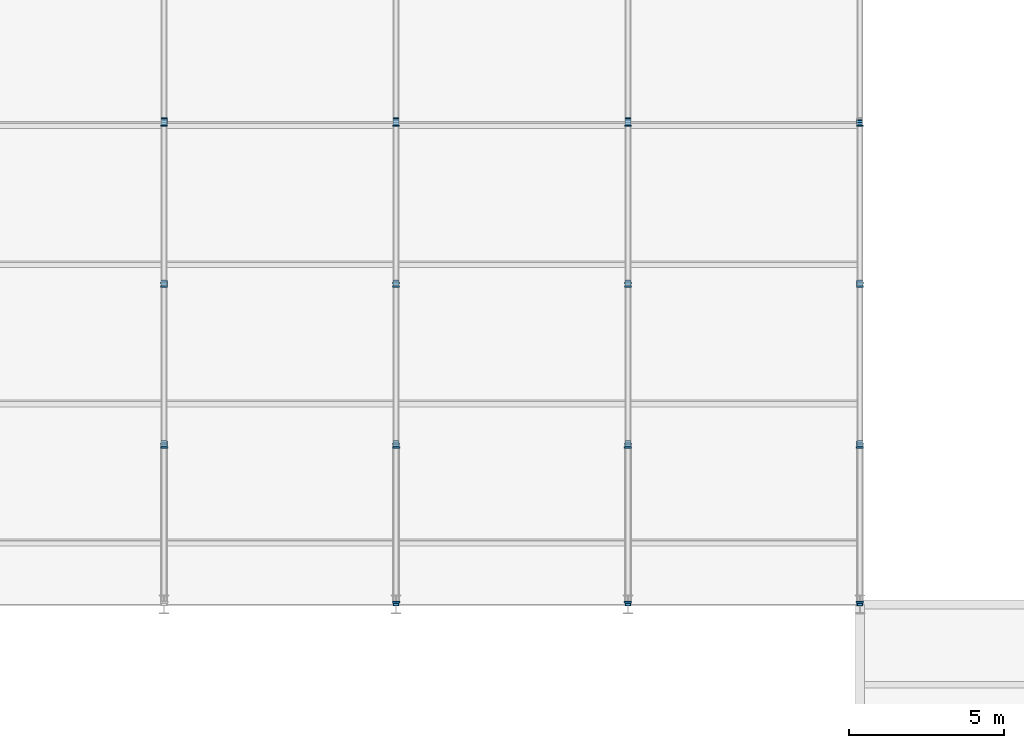
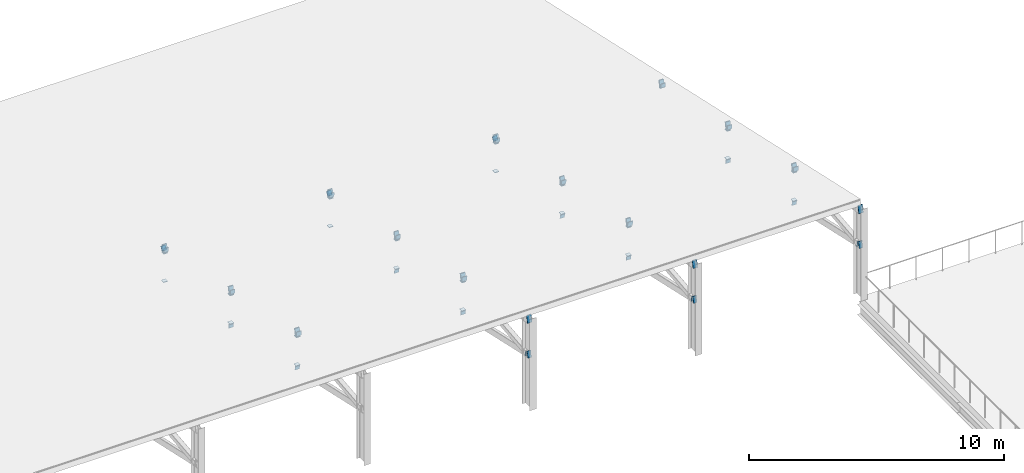
# One storey, part 57 of 77: 78 plates.
"""IFC4 building model written with IfcOpenShell, lengths in metres."""

import ifcopenshell
import ifcopenshell.guid

model = None  # the IFC model being written
_history = None  # IfcOwnerHistory: only IFC2X3 demands one
_inside = {}  # id of a spatial element -> (the spatial element, [elements in it])
_under = {}  # id of a project, library or spatial element -> (it, [spatial elements below it])
_declared = {}  # id of a project -> (the project, [libraries it declares])
_typed = {}  # id of a type object -> (the type object, [elements of that type])
_made_of = {}  # id of a material, layer set ... -> (it, [elements and type objects made of it])


def new_model(schema):
    """Start an empty IFC model of exactly this schema.

    Asked for "IFC4X3", IfcOpenShell would pick the latest addendum, in which some entities
    have other attributes; the version numbers below select the first issue.
    IFC2X3 requires an IfcOwnerHistory on every rooted entity: one is made here for all.
    """
    global model, _history
    if schema == "IFC4X3":
        model = ifcopenshell.file(schema_version=(4, 3, 0, 0))
    else:
        model = ifcopenshell.file(schema=schema)
    _inside.clear()
    _under.clear()
    _declared.clear()
    _typed.clear()
    _made_of.clear()
    _history = None
    if model.schema == "IFC2X3":
        org = make("IfcOrganization", Name="unknown")
        user = make(
            "IfcPersonAndOrganization",
            ThePerson=make("IfcPerson", FamilyName="unknown"),
            TheOrganization=org,
        )
        app = make(
            "IfcApplication",
            ApplicationDeveloper=org,
            Version="unknown",
            ApplicationFullName="unknown",
            ApplicationIdentifier="unknown",
        )
        _history = make(
            "IfcOwnerHistory",
            OwningUser=user,
            OwningApplication=app,
            ChangeAction="ADDED",
            CreationDate=0,
        )
    return model


def make(cls, **values):
    """One entity of the class cls with the attributes given. An attribute that is None is left unset."""
    return model.create_entity(
        cls, **{name: value for name, value in values.items() if value is not None}
    )


def rooted(cls, **values):
    """An entity with a GlobalId (a new one), such as an element, a storey or a relation."""
    return make(cls, GlobalId=ifcopenshell.guid.new(), OwnerHistory=_history, **values)


def si_unit(unit_type, name, prefix=None):
    """IfcSIUnit, for example si_unit("LENGTHUNIT", "METRE", prefix="MILLI")."""
    return make("IfcSIUnit", UnitType=unit_type, Prefix=prefix, Name=name)


def assignment(units):
    """IfcUnitAssignment: the units of a project."""
    return None if units is None else make("IfcUnitAssignment", Units=units)


def point(xyz):
    """IfcCartesianPoint."""
    return None if xyz is None else make("IfcCartesianPoint", Coordinates=xyz)


def direction(xyz):
    """IfcDirection."""
    return None if xyz is None else make("IfcDirection", DirectionRatios=xyz)


def frame(location, z_axis=None, x_axis=None):
    """IfcAxis2Placement3D, a coordinate frame: its origin and axes. An axis left out is left unset."""
    return make(
        "IfcAxis2Placement3D",
        Location=point(location),
        Axis=direction(z_axis),
        RefDirection=direction(x_axis),
    )


def frame_2d(location, x_axis=None):
    """IfcAxis2Placement2D, a coordinate frame in the plane: its origin and x axis."""
    return make(
        "IfcAxis2Placement2D", Location=point(location), RefDirection=direction(x_axis)
    )


def origin():
    """The frame at (0, 0, 0) with its axes left unset."""
    return frame((0.0, 0.0, 0.0))


def origin_2d():
    """The frame at (0, 0) in the plane with its x axis left unset."""
    return frame_2d((0.0, 0.0))


def place(relative_to, where):
    """IfcLocalPlacement: puts the frame where relative to a parent placement (None: the world)."""
    return make(
        "IfcLocalPlacement", PlacementRelTo=relative_to, RelativePlacement=where
    )


def context(
    kind, dimensions, precision=None, world=None, true_north=None, identifier=None
):
    """IfcGeometricRepresentationContext, for example the 3D "Model" context."""
    return make(
        "IfcGeometricRepresentationContext",
        ContextIdentifier=identifier,
        ContextType=kind,
        CoordinateSpaceDimension=dimensions,
        Precision=precision,
        WorldCoordinateSystem=world,
        TrueNorth=true_north,
    )


def subcontext(parent, identifier, kind, view, scale=None):
    """IfcGeometricRepresentationSubContext, for example "Body" below "Model"."""
    return make(
        "IfcGeometricRepresentationSubContext",
        ContextIdentifier=identifier,
        ContextType=kind,
        ParentContext=parent,
        TargetScale=scale,
        TargetView=view,
    )


def project(units=None, contexts=None):
    """IfcProject with its units and contexts."""
    return rooted(
        "IfcProject",
        Name="project",
        RepresentationContexts=contexts,
        UnitsInContext=assignment(units),
    )


def spatial(cls, under=None, at=None, **own):
    """A site, building, storey or space (cls), placed at a placement, below another one or the project."""
    s = rooted(cls, ObjectPlacement=at, **own)
    if under is not None:
        _under.setdefault(under.id(), (under, []))[1].append(s)
    return s


def profile(cls, at=None, kind="AREA", **sizes):
    """A parametric profile (cls). Its sizes go by their IFC names, for example OverallWidth=200.0."""
    return make(cls, ProfileType=kind, Position=at, **sizes)


def rectangle(**sizes):
    """IfcRectangleProfileDef."""
    return profile("IfcRectangleProfileDef", **sizes)


def extrude(swept, where, along, depth):
    """IfcExtrudedAreaSolid: the profile swept, set in the frame where, extruded along a direction by depth."""
    return make(
        "IfcExtrudedAreaSolid",
        SweptArea=swept,
        Position=where,
        ExtrudedDirection=direction(along),
        Depth=depth,
    )


def shape(context_of_items, identifier, shape_type, items):
    """IfcShapeRepresentation: the items that make up one representation, for example the "Body"."""
    return make(
        "IfcShapeRepresentation",
        ContextOfItems=context_of_items,
        RepresentationIdentifier=identifier,
        RepresentationType=shape_type,
        Items=items,
    )


def material(Name=None, Category=None):
    """IfcMaterial."""
    return make("IfcMaterial", Name=Name, Category=Category)


def layer(
    of_material, thickness, ventilated=None, Name=None, Category=None, Priority=None
):
    """IfcMaterialLayer: one layer of a wall or slab, of a material (None: an air gap)."""
    return make(
        "IfcMaterialLayer",
        Material=of_material,
        LayerThickness=thickness,
        IsVentilated=ventilated,
        Name=Name,
        Category=Category,
        Priority=Priority,
    )


def layer_set(layers, Name=None):
    """IfcMaterialLayerSet."""
    return make("IfcMaterialLayerSet", MaterialLayers=layers, LayerSetName=Name)


def made_of(thing, what):
    """Note that an element or type object is made of a material, layer set ...; save() writes the relation."""
    if what is not None:
        _made_of.setdefault(what.id(), (what, []))[1].append(thing)
    return thing


def type_object(cls, material=None, **own):
    """A type object (cls), such as IfcWallType, which elements share."""
    return made_of(rooted(cls, **own), material)


def element(
    cls,
    number,
    at=None,
    inside=None,
    cuts=None,
    type_object=None,
    material=None,
    context=None,
    identifier="Body",
    shape_type=None,
    held_by="IfcProductDefinitionShape",
    body=None,
    shapes=None,
    **own,
):
    """One element of the class cls, such as IfcWall. Its Tag is "e" and its number.

    at: its placement. inside: the storey or other place that contains it. cuts: it is an
    opening in that element (IfcRelVoidsElement). A single representation is given by context,
    identifier, shape_type and body (its items); several are given by shapes. held_by: the class
    of the entity that holds the representations. save() writes the other relations.
    """
    e = rooted(cls, Tag="e%d" % number, ObjectPlacement=at, **own)
    if body is not None:
        shapes = [shape(context, identifier, shape_type, body)]
    if shapes is not None:
        e.Representation = make(held_by, Representations=shapes)
    if inside is not None:
        _inside.setdefault(inside.id(), (inside, []))[1].append(e)
    if cuts is not None:
        rooted(
            "IfcRelVoidsElement", RelatingBuildingElement=cuts, RelatedOpeningElement=e
        )
    if type_object is not None:
        _typed.setdefault(type_object.id(), (type_object, []))[1].append(e)
    return made_of(e, material)


def aggregate(whole, parts):
    """IfcRelAggregates: a whole, such as a stair, and the parts it consists of."""
    return rooted("IfcRelAggregates", RelatingObject=whole, RelatedObjects=parts)


def save(model, path):
    """Write the relations noted so far, then the file.

    IfcRelAggregates (storeys below a building ...), IfcRelContainedInSpatialStructure (elements
    in a storey), IfcRelDefinesByType, IfcRelAssociatesMaterial and IfcRelDeclares: one each for
    every whole, place, type object, material and project.
    """
    for whole, parts in _under.values():
        aggregate(whole, parts)
    for where, things in _inside.values():
        rooted(
            "IfcRelContainedInSpatialStructure",
            RelatedElements=things,
            RelatingStructure=where,
        )
    for kind, things in _typed.values():
        rooted("IfcRelDefinesByType", RelatedObjects=things, RelatingType=kind)
    for what, things in _made_of.values():
        rooted("IfcRelAssociatesMaterial", RelatedObjects=things, RelatingMaterial=what)
    for by, libraries in _declared.values():
        rooted("IfcRelDeclares", RelatingContext=by, RelatedDefinitions=libraries)
    model.write(path)


model = new_model("IFC4")

# Units and contexts
model_context = context("Model", 3, precision=1e-05, world=origin(), true_north=direction((0.0, 1.0)))
body_context = subcontext(model_context, "Body", "Model", "MODEL_VIEW")
ifc_project = project(units=[si_unit("LENGTHUNIT", "METRE"), si_unit("AREAUNIT", "SQUARE_METRE"), si_unit("VOLUMEUNIT", "CUBIC_METRE"), si_unit("PLANEANGLEUNIT", "RADIAN"), si_unit("MASSUNIT", "GRAM", prefix="KILO")], contexts=[model_context])

# Site, building, storey
site_placement = place(None, origin())
site = spatial("IfcSite", under=ifc_project, at=site_placement, CompositionType="ELEMENT")
building_placement = place(site_placement, origin())
building = spatial("IfcBuilding", under=site, at=building_placement, Name="Yukiwa Park Conservatory and Herbarium", CompositionType="ELEMENT")
storey_placement = place(building_placement, frame((0.0, 0.0, 13.199951171875)))
storey = spatial("IfcBuildingStorey", under=building, at=storey_placement, Name="L03", CompositionType="ELEMENT", Elevation=13.199951171875)

# Plates
ifc_material_1 = material(Name="Steel Q355D", Category="steel")
ifc_layer_1 = layer(ifc_material_1, 0.02392578125)
ifc_layer_set_1 = layer_set([ifc_layer_1], Name="Steel Q355D")
plate_type_1 = type_object("IfcPlateType", Name="PL-CAP-24", PredefinedType="USERDEFINED", material=ifc_layer_set_1)
for number, where, z_axis, x_axis, name in (
    (1, (60.0, 78.013916015625, 4.190185546875), (0.0, -0.976900017396, 0.213696878805), (1.0, 0.0, 0.0), "Hollow section end cap plate CAP-AUTC-7-1A"),
    (2, (60.0, 83.160888671875, 3.0478515625), (0.0, 0.976900017396, -0.213696878805), (-1.0, 0.0, 0.0), "Hollow section end cap plate CAP-AUTC-7-1B"),
):
    element("IfcPlate", number, at=place(storey_placement, frame(where, z_axis=z_axis, x_axis=x_axis)), inside=storey, type_object=plate_type_1, Name=name, ObjectType="END CAP PLATE", PredefinedType="USERDEFINED", context=body_context, shape_type="SweptSolid", body=[
        extrude(rectangle(XDim=0.2080078125, YDim=0.35791015625, at=origin_2d()), origin(), (0.0, 0.0, 1.0), 0.02392578125),
    ])
plate_1_placement = place(storey_placement, frame((60.0, 78.013916015625, 2.490234375), z_axis=(0.0, -0.976900017396, 0.213696878805), x_axis=(1.0, 0.0, 0.0)))
element("IfcPlate", 3, at=plate_1_placement, inside=storey, type_object=plate_type_1, Name="Hollow section end cap plate CAP-AUBC-7-1A", ObjectType="END CAP PLATE", PredefinedType="USERDEFINED", context=body_context, shape_type="SweptSolid", body=[
    extrude(rectangle(XDim=0.157958984375, YDim=0.30810546875, at=origin_2d()), origin(), (0.0, 0.0, 1.0), 0.02392578125),
])
for number, where, z_axis, x_axis, name in (
    (4, (60.0, 78.091552734375, 2.500244140625), (0.0, -0.994834142531, -0.101513688013), (1.0, 0.0, 0.0), "Hollow section end cap plate CAP-AUDG-7-1A"),
    (5, (60.0, 83.067626953125, 3.025146484375), (0.0, 0.993759448064, 0.111544427844), (-1.0, 0.0, 0.0), "Hollow section end cap plate CAP-AUDG-7-1B"),
):
    element("IfcPlate", number, at=place(storey_placement, frame(where, z_axis=z_axis, x_axis=x_axis)), inside=storey, type_object=plate_type_1, Name=name, ObjectType="END CAP PLATE", PredefinedType="USERDEFINED", context=body_context, shape_type="SweptSolid", body=[
        extrude(rectangle(XDim=0.22802734375, YDim=0.22802734375, at=origin_2d()), origin(), (0.0, 0.0, 1.0), 0.024169921875),
    ])
for number, where, z_axis, x_axis, name in (
    (6, (60.0, 83.239013671875, 3.030517578125), (0.0, -0.976900017396, 0.213696878805), (1.0, 0.0, 0.0), "Hollow section end cap plate CAP-AUTC-7-2A"),
    (7, (60.0, 88.36083984375, 1.89501953125), (0.0, 0.974732318528, -0.223376156329), (-1.0, 0.0, 0.0), "Hollow section end cap plate CAP-AUTC-7-2B"),
):
    element("IfcPlate", number, at=place(storey_placement, frame(where, z_axis=z_axis, x_axis=x_axis)), inside=storey, type_object=plate_type_1, Name=name, ObjectType="END CAP PLATE", PredefinedType="USERDEFINED", context=body_context, shape_type="SweptSolid", body=[
        extrude(rectangle(XDim=0.2080078125, YDim=0.35791015625, at=origin_2d()), origin(), (0.0, 0.0, 1.0), 0.02392578125),
    ])
plate_2_placement = place(storey_placement, frame((60.0, 83.2080078125, 1.340087890625), z_axis=(0.0, -0.993759448064, -0.111544427844), x_axis=(1.0, 0.0, 0.0)))
element("IfcPlate", 8, at=plate_2_placement, inside=storey, type_object=plate_type_1, Name="Hollow section end cap plate CAP-AUDG-7-2A", ObjectType="END CAP PLATE", PredefinedType="USERDEFINED", context=body_context, shape_type="SweptSolid", body=[
    extrude(rectangle(XDim=0.2080078125, YDim=0.2080078125, at=origin_2d()), origin(), (0.0, 0.0, 1.0), 0.024169921875),
])
plate_3_placement = place(storey_placement, frame((60.0, 88.267822265625, 1.872314453125), z_axis=(0.0, 0.994727926154, 0.102549270738), x_axis=(-1.0, 0.0, 0.0)))
element("IfcPlate", 9, at=plate_3_placement, inside=storey, type_object=plate_type_1, Name="Hollow section end cap plate CAP-AUDG-7-2B", ObjectType="END CAP PLATE", PredefinedType="USERDEFINED", context=body_context, shape_type="SweptSolid", body=[
    extrude(rectangle(XDim=0.2080078125, YDim=0.2080078125, at=origin_2d()), origin(), (0.0, 0.0, 1.0), 0.02392578125),
])
for number, where, z_axis, x_axis, name in (
    (10, (60.0, 88.43896484375, 1.877685546875), (0.0, -0.976900017396, 0.213696878805), (1.0, 0.0, 0.0), "Hollow section end cap plate CAP-AUTC-7-3A"),
    (11, (60.0, 93.56103515625, 0.7421875), (0.0, 0.974732318528, -0.223376156329), (-1.0, 0.0, 0.0), "Hollow section end cap plate CAP-AUTC-7-3B"),
):
    element("IfcPlate", number, at=place(storey_placement, frame(where, z_axis=z_axis, x_axis=x_axis)), inside=storey, type_object=plate_type_1, Name=name, ObjectType="END CAP PLATE", PredefinedType="USERDEFINED", context=body_context, shape_type="SweptSolid", body=[
        extrude(rectangle(XDim=0.2080078125, YDim=0.35791015625, at=origin_2d()), origin(), (0.0, 0.0, 1.0), 0.02392578125),
    ])
for number, where, z_axis, x_axis, name in (
    (12, (60.0, 88.407958984375, 0.18701171875), (0.0, -0.994834142531, -0.101513688013), (1.0, 0.0, 0.0), "Hollow section end cap plate CAP-AUDG-7-3A"),
    (13, (60.0, 93.4677734375, 0.719482421875), (0.0, 0.994834142531, 0.101513688013), (-1.0, 0.0, 0.0), "Hollow section end cap plate CAP-AUDG-7-3B"),
):
    element("IfcPlate", number, at=place(storey_placement, frame(where, z_axis=z_axis, x_axis=x_axis)), inside=storey, type_object=plate_type_1, Name=name, ObjectType="END CAP PLATE", PredefinedType="USERDEFINED", context=body_context, shape_type="SweptSolid", body=[
        extrude(rectangle(XDim=0.2080078125, YDim=0.2080078125, at=origin_2d()), origin(), (0.0, 0.0, 1.0), 0.024169921875),
    ])
plate_4_placement = place(storey_placement, frame((60.0, 93.63916015625, 0.724853515625), z_axis=(0.0, -0.976900017396, 0.213696878805), x_axis=(1.0, 0.0, 0.0)))
element("IfcPlate", 14, at=plate_4_placement, inside=storey, type_object=plate_type_1, Name="Hollow section end cap plate CAP-AUTC-7-4A", ObjectType="END CAP PLATE", PredefinedType="USERDEFINED", context=body_context, shape_type="SweptSolid", body=[
    extrude(rectangle(XDim=0.2080078125, YDim=0.35791015625, at=origin_2d()), origin(), (0.0, 0.0, 1.0), 0.02392578125),
])
ifc_material_2 = material(Name="Steel Q355D", Category="steel")
ifc_layer_2 = layer(ifc_material_2, 0.02392578125)
ifc_layer_set_2 = layer_set([ifc_layer_2], Name="Steel Q355D")
plate_type_2 = type_object("IfcPlateType", Name="PL-CAP-24-INT", PredefinedType="USERDEFINED", material=ifc_layer_set_2)
plate_5_placement = place(storey_placement, frame((37.5, 83.160888671875, 3.0478515625), z_axis=(0.0, 0.976900017396, -0.213696878805), x_axis=(-1.0, 0.0, 0.0)))
element("IfcPlate", 15, at=plate_5_placement, inside=storey, type_object=plate_type_2, Name="Hollow section end cap plate CAP-AUTC-4-1B", ObjectType="END CAP PLATE", PredefinedType="USERDEFINED", context=body_context, shape_type="SweptSolid", body=[
    extrude(rectangle(XDim=0.2080078125, YDim=0.35791015625, at=origin_2d()), origin(), (0.0, 0.0, 1.0), 0.02392578125),
])
plate_6_placement = place(storey_placement, frame((37.5, 83.067626953125, 3.025146484375), z_axis=(0.0, 0.993759448064, 0.111544427844), x_axis=(-1.0, 0.0, 0.0)))
element("IfcPlate", 16, at=plate_6_placement, inside=storey, type_object=plate_type_2, Name="Hollow section end cap plate CAP-AUDG-4-1B", ObjectType="END CAP PLATE", PredefinedType="USERDEFINED", context=body_context, shape_type="SweptSolid", body=[
    extrude(rectangle(XDim=0.22802734375, YDim=0.22802734375, at=origin_2d()), origin(), (0.0, 0.0, 1.0), 0.024169921875),
])
for number, where, z_axis, x_axis, name in (
    (17, (37.5, 83.239013671875, 3.030517578125), (0.0, -0.976900017396, 0.213696878805), (1.0, 0.0, 0.0), "Hollow section end cap plate CAP-AUTC-4-2A"),
    (18, (37.5, 88.36083984375, 1.89501953125), (0.0, 0.974732318528, -0.223376156329), (-1.0, 0.0, 0.0), "Hollow section end cap plate CAP-AUTC-4-2B"),
):
    element("IfcPlate", number, at=place(storey_placement, frame(where, z_axis=z_axis, x_axis=x_axis)), inside=storey, type_object=plate_type_2, Name=name, ObjectType="END CAP PLATE", PredefinedType="USERDEFINED", context=body_context, shape_type="SweptSolid", body=[
        extrude(rectangle(XDim=0.2080078125, YDim=0.35791015625, at=origin_2d()), origin(), (0.0, 0.0, 1.0), 0.02392578125),
    ])
plate_7_placement = place(storey_placement, frame((37.5, 83.2080078125, 1.340087890625), z_axis=(0.0, -0.993759448064, -0.111544427844), x_axis=(1.0, 0.0, 0.0)))
element("IfcPlate", 19, at=plate_7_placement, inside=storey, type_object=plate_type_2, Name="Hollow section end cap plate CAP-AUDG-4-2A", ObjectType="END CAP PLATE", PredefinedType="USERDEFINED", context=body_context, shape_type="SweptSolid", body=[
    extrude(rectangle(XDim=0.2080078125, YDim=0.2080078125, at=origin_2d()), origin(), (0.0, 0.0, 1.0), 0.024169921875),
])
plate_8_placement = place(storey_placement, frame((37.5, 88.267822265625, 1.872314453125), z_axis=(0.0, 0.994727926154, 0.102549270738), x_axis=(-1.0, 0.0, 0.0)))
element("IfcPlate", 20, at=plate_8_placement, inside=storey, type_object=plate_type_2, Name="Hollow section end cap plate CAP-AUDG-4-2B", ObjectType="END CAP PLATE", PredefinedType="USERDEFINED", context=body_context, shape_type="SweptSolid", body=[
    extrude(rectangle(XDim=0.2080078125, YDim=0.2080078125, at=origin_2d()), origin(), (0.0, 0.0, 1.0), 0.02392578125),
])
for number, where, z_axis, x_axis, name in (
    (21, (37.5, 88.43896484375, 1.877685546875), (0.0, -0.976900017396, 0.213696878805), (1.0, 0.0, 0.0), "Hollow section end cap plate CAP-AUTC-4-3A"),
    (22, (37.5, 93.56103515625, 0.7421875), (0.0, 0.974732318528, -0.223376156329), (-1.0, 0.0, 0.0), "Hollow section end cap plate CAP-AUTC-4-3B"),
):
    element("IfcPlate", number, at=place(storey_placement, frame(where, z_axis=z_axis, x_axis=x_axis)), inside=storey, type_object=plate_type_2, Name=name, ObjectType="END CAP PLATE", PredefinedType="USERDEFINED", context=body_context, shape_type="SweptSolid", body=[
        extrude(rectangle(XDim=0.2080078125, YDim=0.35791015625, at=origin_2d()), origin(), (0.0, 0.0, 1.0), 0.02392578125),
    ])
for number, where, z_axis, x_axis, name in (
    (23, (37.5, 88.407958984375, 0.18701171875), (0.0, -0.994834142531, -0.101513688013), (1.0, 0.0, 0.0), "Hollow section end cap plate CAP-AUDG-4-3A"),
    (24, (37.5, 93.4677734375, 0.719482421875), (0.0, 0.994834142531, 0.101513688013), (-1.0, 0.0, 0.0), "Hollow section end cap plate CAP-AUDG-4-3B"),
):
    element("IfcPlate", number, at=place(storey_placement, frame(where, z_axis=z_axis, x_axis=x_axis)), inside=storey, type_object=plate_type_2, Name=name, ObjectType="END CAP PLATE", PredefinedType="USERDEFINED", context=body_context, shape_type="SweptSolid", body=[
        extrude(rectangle(XDim=0.2080078125, YDim=0.2080078125, at=origin_2d()), origin(), (0.0, 0.0, 1.0), 0.024169921875),
    ])
plate_9_placement = place(storey_placement, frame((37.5, 93.63916015625, 0.724853515625), z_axis=(0.0, -0.976900017396, 0.213696878805), x_axis=(1.0, 0.0, 0.0)))
element("IfcPlate", 25, at=plate_9_placement, inside=storey, type_object=plate_type_2, Name="Hollow section end cap plate CAP-AUTC-4-4A", ObjectType="END CAP PLATE", PredefinedType="USERDEFINED", context=body_context, shape_type="SweptSolid", body=[
    extrude(rectangle(XDim=0.2080078125, YDim=0.35791015625, at=origin_2d()), origin(), (0.0, 0.0, 1.0), 0.02392578125),
])
plate_10_placement = place(storey_placement, frame((37.5, 93.690185546875, 0.683837890625), z_axis=(0.0, -0.873197702015, 0.487366159264), x_axis=(1.0, 0.0, 0.0)))
element("IfcPlate", 26, at=plate_10_placement, inside=storey, type_object=plate_type_2, Name="Hollow section end cap plate CAP-AUDG-4-4A", ObjectType="END CAP PLATE", PredefinedType="USERDEFINED", context=body_context, shape_type="SweptSolid", body=[
    extrude(rectangle(XDim=0.2080078125, YDim=0.2080078125, at=origin_2d()), origin(), (0.0, 0.0, 1.0), 0.02392578125),
])
for number, where, z_axis, x_axis, name in (
    (27, (37.5, 83.199951171875, 1.4921875), (0.0, 0.0, -1.0), (1.0, 0.0, 0.0), "Hollow section end cap plate CAP-AUVP-4-1B"),
    (28, (37.5, 83.199951171875, 2.8251953125), (0.0, 0.0, 1.0), (1.0, 0.0, 0.0), "Hollow section end cap plate CAP-AUVP-4-1T"),
):
    element("IfcPlate", number, at=place(storey_placement, frame(where, z_axis=z_axis, x_axis=x_axis)), inside=storey, type_object=plate_type_2, Name=name, ObjectType="END CAP PLATE", PredefinedType="USERDEFINED", context=body_context, shape_type="SweptSolid", body=[
        extrude(rectangle(XDim=0.18798828125, YDim=0.18798828125, at=origin_2d()), origin(), (0.0, 0.0, 1.0), 0.02392578125),
    ])
plate_11_placement = place(storey_placement, frame((37.5, 88.39990234375, 0.33935546875), z_axis=(0.0, 0.0, -1.0), x_axis=(1.0, 0.0, 0.0)))
element("IfcPlate", 29, at=plate_11_placement, inside=storey, type_object=plate_type_2, Name="Hollow section end cap plate CAP-AUVP-4-2B", ObjectType="END CAP PLATE", PredefinedType="USERDEFINED", context=body_context, shape_type="SweptSolid", body=[
    extrude(rectangle(XDim=0.18798828125, YDim=0.18798828125, at=origin_2d()), origin(), (0.0, 0.0, 1.0), 0.024169921875),
])
plate_12_placement = place(storey_placement, frame((37.5, 88.39990234375, 1.67236328125), z_axis=(0.0, 0.0, 1.0), x_axis=(1.0, 0.0, 0.0)))
element("IfcPlate", 30, at=plate_12_placement, inside=storey, type_object=plate_type_2, Name="Hollow section end cap plate CAP-AUVP-4-2T", ObjectType="END CAP PLATE", PredefinedType="USERDEFINED", context=body_context, shape_type="SweptSolid", body=[
    extrude(rectangle(XDim=0.18798828125, YDim=0.18798828125, at=origin_2d()), origin(), (0.0, 0.0, 1.0), 0.02392578125),
])
plate_13_placement = place(storey_placement, frame((37.5, 93.60009765625, -0.8134765625), z_axis=(0.0, 0.0, -1.0), x_axis=(1.0, 0.0, 0.0)))
element("IfcPlate", 31, at=plate_13_placement, inside=storey, type_object=plate_type_2, Name="Hollow section end cap plate CAP-AUVP-4-3B", ObjectType="END CAP PLATE", PredefinedType="USERDEFINED", context=body_context, shape_type="SweptSolid", body=[
    extrude(rectangle(XDim=0.18798828125, YDim=0.18798828125, at=origin_2d()), origin(), (0.0, 0.0, 1.0), 0.024169921875),
])
plate_14_placement = place(storey_placement, frame((37.5, 93.60009765625, 0.51953125), z_axis=(0.0, 0.0, 1.0), x_axis=(1.0, 0.0, 0.0)))
element("IfcPlate", 32, at=plate_14_placement, inside=storey, type_object=plate_type_2, Name="Hollow section end cap plate CAP-AUVP-4-3T", ObjectType="END CAP PLATE", PredefinedType="USERDEFINED", context=body_context, shape_type="SweptSolid", body=[
    extrude(rectangle(XDim=0.18798828125, YDim=0.18798828125, at=origin_2d()), origin(), (0.0, 0.0, 1.0), 0.02392578125),
])
for number, where, z_axis, x_axis, name in (
    (33, (45.0, 78.013916015625, 4.190185546875), (0.0, -0.976900017396, 0.213696878805), (1.0, 0.0, 0.0), "Hollow section end cap plate CAP-AUTC-5-1A"),
    (34, (45.0, 83.160888671875, 3.0478515625), (0.0, 0.976900017396, -0.213696878805), (-1.0, 0.0, 0.0), "Hollow section end cap plate CAP-AUTC-5-1B"),
):
    element("IfcPlate", number, at=place(storey_placement, frame(where, z_axis=z_axis, x_axis=x_axis)), inside=storey, type_object=plate_type_2, Name=name, ObjectType="END CAP PLATE", PredefinedType="USERDEFINED", context=body_context, shape_type="SweptSolid", body=[
        extrude(rectangle(XDim=0.2080078125, YDim=0.35791015625, at=origin_2d()), origin(), (0.0, 0.0, 1.0), 0.02392578125),
    ])
plate_15_placement = place(storey_placement, frame((45.0, 78.013916015625, 2.490234375), z_axis=(0.0, -0.976900017396, 0.213696878805), x_axis=(1.0, 0.0, 0.0)))
element("IfcPlate", 35, at=plate_15_placement, inside=storey, type_object=plate_type_2, Name="Hollow section end cap plate CAP-AUBC-5-1A", ObjectType="END CAP PLATE", PredefinedType="USERDEFINED", context=body_context, shape_type="SweptSolid", body=[
    extrude(rectangle(XDim=0.157958984375, YDim=0.30810546875, at=origin_2d()), origin(), (0.0, 0.0, 1.0), 0.02392578125),
])
for number, where, z_axis, x_axis, name in (
    (36, (45.0, 78.091552734375, 2.500244140625), (0.0, -0.994834142531, -0.101513688013), (1.0, 0.0, 0.0), "Hollow section end cap plate CAP-AUDG-5-1A"),
    (37, (45.0, 83.067626953125, 3.025146484375), (0.0, 0.993759448064, 0.111544427844), (-1.0, 0.0, 0.0), "Hollow section end cap plate CAP-AUDG-5-1B"),
):
    element("IfcPlate", number, at=place(storey_placement, frame(where, z_axis=z_axis, x_axis=x_axis)), inside=storey, type_object=plate_type_2, Name=name, ObjectType="END CAP PLATE", PredefinedType="USERDEFINED", context=body_context, shape_type="SweptSolid", body=[
        extrude(rectangle(XDim=0.22802734375, YDim=0.22802734375, at=origin_2d()), origin(), (0.0, 0.0, 1.0), 0.024169921875),
    ])
for number, where, z_axis, x_axis, name in (
    (38, (45.0, 83.239013671875, 3.030517578125), (0.0, -0.976900017396, 0.213696878805), (1.0, 0.0, 0.0), "Hollow section end cap plate CAP-AUTC-5-2A"),
    (39, (45.0, 88.36083984375, 1.89501953125), (0.0, 0.974732318528, -0.223376156329), (-1.0, 0.0, 0.0), "Hollow section end cap plate CAP-AUTC-5-2B"),
):
    element("IfcPlate", number, at=place(storey_placement, frame(where, z_axis=z_axis, x_axis=x_axis)), inside=storey, type_object=plate_type_2, Name=name, ObjectType="END CAP PLATE", PredefinedType="USERDEFINED", context=body_context, shape_type="SweptSolid", body=[
        extrude(rectangle(XDim=0.2080078125, YDim=0.35791015625, at=origin_2d()), origin(), (0.0, 0.0, 1.0), 0.02392578125),
    ])
plate_16_placement = place(storey_placement, frame((45.0, 83.2080078125, 1.340087890625), z_axis=(0.0, -0.993759448064, -0.111544427844), x_axis=(1.0, 0.0, 0.0)))
element("IfcPlate", 40, at=plate_16_placement, inside=storey, type_object=plate_type_2, Name="Hollow section end cap plate CAP-AUDG-5-2A", ObjectType="END CAP PLATE", PredefinedType="USERDEFINED", context=body_context, shape_type="SweptSolid", body=[
    extrude(rectangle(XDim=0.2080078125, YDim=0.2080078125, at=origin_2d()), origin(), (0.0, 0.0, 1.0), 0.024169921875),
])
plate_17_placement = place(storey_placement, frame((45.0, 88.267822265625, 1.872314453125), z_axis=(0.0, 0.994727926154, 0.102549270738), x_axis=(-1.0, 0.0, 0.0)))
element("IfcPlate", 41, at=plate_17_placement, inside=storey, type_object=plate_type_2, Name="Hollow section end cap plate CAP-AUDG-5-2B", ObjectType="END CAP PLATE", PredefinedType="USERDEFINED", context=body_context, shape_type="SweptSolid", body=[
    extrude(rectangle(XDim=0.2080078125, YDim=0.2080078125, at=origin_2d()), origin(), (0.0, 0.0, 1.0), 0.02392578125),
])
for number, where, z_axis, x_axis, name in (
    (42, (45.0, 88.43896484375, 1.877685546875), (0.0, -0.976900017396, 0.213696878805), (1.0, 0.0, 0.0), "Hollow section end cap plate CAP-AUTC-5-3A"),
    (43, (45.0, 93.56103515625, 0.7421875), (0.0, 0.974732318528, -0.223376156329), (-1.0, 0.0, 0.0), "Hollow section end cap plate CAP-AUTC-5-3B"),
):
    element("IfcPlate", number, at=place(storey_placement, frame(where, z_axis=z_axis, x_axis=x_axis)), inside=storey, type_object=plate_type_2, Name=name, ObjectType="END CAP PLATE", PredefinedType="USERDEFINED", context=body_context, shape_type="SweptSolid", body=[
        extrude(rectangle(XDim=0.2080078125, YDim=0.35791015625, at=origin_2d()), origin(), (0.0, 0.0, 1.0), 0.02392578125),
    ])
for number, where, z_axis, x_axis, name in (
    (44, (45.0, 88.407958984375, 0.18701171875), (0.0, -0.994834142531, -0.101513688013), (1.0, 0.0, 0.0), "Hollow section end cap plate CAP-AUDG-5-3A"),
    (45, (45.0, 93.4677734375, 0.719482421875), (0.0, 0.994834142531, 0.101513688013), (-1.0, 0.0, 0.0), "Hollow section end cap plate CAP-AUDG-5-3B"),
):
    element("IfcPlate", number, at=place(storey_placement, frame(where, z_axis=z_axis, x_axis=x_axis)), inside=storey, type_object=plate_type_2, Name=name, ObjectType="END CAP PLATE", PredefinedType="USERDEFINED", context=body_context, shape_type="SweptSolid", body=[
        extrude(rectangle(XDim=0.2080078125, YDim=0.2080078125, at=origin_2d()), origin(), (0.0, 0.0, 1.0), 0.024169921875),
    ])
plate_18_placement = place(storey_placement, frame((45.0, 93.63916015625, 0.724853515625), z_axis=(0.0, -0.976900017396, 0.213696878805), x_axis=(1.0, 0.0, 0.0)))
element("IfcPlate", 46, at=plate_18_placement, inside=storey, type_object=plate_type_2, Name="Hollow section end cap plate CAP-AUTC-5-4A", ObjectType="END CAP PLATE", PredefinedType="USERDEFINED", context=body_context, shape_type="SweptSolid", body=[
    extrude(rectangle(XDim=0.2080078125, YDim=0.35791015625, at=origin_2d()), origin(), (0.0, 0.0, 1.0), 0.02392578125),
])
plate_19_placement = place(storey_placement, frame((45.0, 93.690185546875, 0.683837890625), z_axis=(0.0, -0.873197702015, 0.487366159264), x_axis=(1.0, 0.0, 0.0)))
element("IfcPlate", 47, at=plate_19_placement, inside=storey, type_object=plate_type_2, Name="Hollow section end cap plate CAP-AUDG-5-4A", ObjectType="END CAP PLATE", PredefinedType="USERDEFINED", context=body_context, shape_type="SweptSolid", body=[
    extrude(rectangle(XDim=0.2080078125, YDim=0.2080078125, at=origin_2d()), origin(), (0.0, 0.0, 1.0), 0.02392578125),
])
for number, where, z_axis, x_axis, name in (
    (48, (45.0, 83.199951171875, 1.4921875), (0.0, 0.0, -1.0), (1.0, 0.0, 0.0), "Hollow section end cap plate CAP-AUVP-5-1B"),
    (49, (45.0, 83.199951171875, 2.8251953125), (0.0, 0.0, 1.0), (1.0, 0.0, 0.0), "Hollow section end cap plate CAP-AUVP-5-1T"),
):
    element("IfcPlate", number, at=place(storey_placement, frame(where, z_axis=z_axis, x_axis=x_axis)), inside=storey, type_object=plate_type_2, Name=name, ObjectType="END CAP PLATE", PredefinedType="USERDEFINED", context=body_context, shape_type="SweptSolid", body=[
        extrude(rectangle(XDim=0.18798828125, YDim=0.18798828125, at=origin_2d()), origin(), (0.0, 0.0, 1.0), 0.02392578125),
    ])
plate_20_placement = place(storey_placement, frame((45.0, 88.39990234375, 0.33935546875), z_axis=(0.0, 0.0, -1.0), x_axis=(1.0, 0.0, 0.0)))
element("IfcPlate", 50, at=plate_20_placement, inside=storey, type_object=plate_type_2, Name="Hollow section end cap plate CAP-AUVP-5-2B", ObjectType="END CAP PLATE", PredefinedType="USERDEFINED", context=body_context, shape_type="SweptSolid", body=[
    extrude(rectangle(XDim=0.18798828125, YDim=0.18798828125, at=origin_2d()), origin(), (0.0, 0.0, 1.0), 0.024169921875),
])
plate_21_placement = place(storey_placement, frame((45.0, 88.39990234375, 1.67236328125), z_axis=(0.0, 0.0, 1.0), x_axis=(1.0, 0.0, 0.0)))
element("IfcPlate", 51, at=plate_21_placement, inside=storey, type_object=plate_type_2, Name="Hollow section end cap plate CAP-AUVP-5-2T", ObjectType="END CAP PLATE", PredefinedType="USERDEFINED", context=body_context, shape_type="SweptSolid", body=[
    extrude(rectangle(XDim=0.18798828125, YDim=0.18798828125, at=origin_2d()), origin(), (0.0, 0.0, 1.0), 0.02392578125),
])
plate_22_placement = place(storey_placement, frame((45.0, 93.60009765625, -0.8134765625), z_axis=(0.0, 0.0, -1.0), x_axis=(1.0, 0.0, 0.0)))
element("IfcPlate", 52, at=plate_22_placement, inside=storey, type_object=plate_type_2, Name="Hollow section end cap plate CAP-AUVP-5-3B", ObjectType="END CAP PLATE", PredefinedType="USERDEFINED", context=body_context, shape_type="SweptSolid", body=[
    extrude(rectangle(XDim=0.18798828125, YDim=0.18798828125, at=origin_2d()), origin(), (0.0, 0.0, 1.0), 0.024169921875),
])
plate_23_placement = place(storey_placement, frame((45.0, 93.60009765625, 0.51953125), z_axis=(0.0, 0.0, 1.0), x_axis=(1.0, 0.0, 0.0)))
element("IfcPlate", 53, at=plate_23_placement, inside=storey, type_object=plate_type_2, Name="Hollow section end cap plate CAP-AUVP-5-3T", ObjectType="END CAP PLATE", PredefinedType="USERDEFINED", context=body_context, shape_type="SweptSolid", body=[
    extrude(rectangle(XDim=0.18798828125, YDim=0.18798828125, at=origin_2d()), origin(), (0.0, 0.0, 1.0), 0.02392578125),
])
for number, where, z_axis, x_axis, name in (
    (54, (52.5, 78.013916015625, 4.190185546875), (0.0, -0.976900017396, 0.213696878805), (1.0, 0.0, 0.0), "Hollow section end cap plate CAP-AUTC-6-1A"),
    (55, (52.5, 83.160888671875, 3.0478515625), (0.0, 0.976900017396, -0.213696878805), (-1.0, 0.0, 0.0), "Hollow section end cap plate CAP-AUTC-6-1B"),
):
    element("IfcPlate", number, at=place(storey_placement, frame(where, z_axis=z_axis, x_axis=x_axis)), inside=storey, type_object=plate_type_2, Name=name, ObjectType="END CAP PLATE", PredefinedType="USERDEFINED", context=body_context, shape_type="SweptSolid", body=[
        extrude(rectangle(XDim=0.2080078125, YDim=0.35791015625, at=origin_2d()), origin(), (0.0, 0.0, 1.0), 0.02392578125),
    ])
plate_24_placement = place(storey_placement, frame((52.5, 78.013916015625, 2.490234375), z_axis=(0.0, -0.976900017396, 0.213696878805), x_axis=(1.0, 0.0, 0.0)))
element("IfcPlate", 56, at=plate_24_placement, inside=storey, type_object=plate_type_2, Name="Hollow section end cap plate CAP-AUBC-6-1A", ObjectType="END CAP PLATE", PredefinedType="USERDEFINED", context=body_context, shape_type="SweptSolid", body=[
    extrude(rectangle(XDim=0.157958984375, YDim=0.30810546875, at=origin_2d()), origin(), (0.0, 0.0, 1.0), 0.02392578125),
])
for number, where, z_axis, x_axis, name in (
    (57, (52.5, 78.091552734375, 2.500244140625), (0.0, -0.994834142531, -0.101513688013), (1.0, 0.0, 0.0), "Hollow section end cap plate CAP-AUDG-6-1A"),
    (58, (52.5, 83.067626953125, 3.025146484375), (0.0, 0.993759448064, 0.111544427844), (-1.0, 0.0, 0.0), "Hollow section end cap plate CAP-AUDG-6-1B"),
):
    element("IfcPlate", number, at=place(storey_placement, frame(where, z_axis=z_axis, x_axis=x_axis)), inside=storey, type_object=plate_type_2, Name=name, ObjectType="END CAP PLATE", PredefinedType="USERDEFINED", context=body_context, shape_type="SweptSolid", body=[
        extrude(rectangle(XDim=0.22802734375, YDim=0.22802734375, at=origin_2d()), origin(), (0.0, 0.0, 1.0), 0.024169921875),
    ])
for number, where, z_axis, x_axis, name in (
    (59, (52.5, 83.239013671875, 3.030517578125), (0.0, -0.976900017396, 0.213696878805), (1.0, 0.0, 0.0), "Hollow section end cap plate CAP-AUTC-6-2A"),
    (60, (52.5, 88.36083984375, 1.89501953125), (0.0, 0.974732318528, -0.223376156329), (-1.0, 0.0, 0.0), "Hollow section end cap plate CAP-AUTC-6-2B"),
):
    element("IfcPlate", number, at=place(storey_placement, frame(where, z_axis=z_axis, x_axis=x_axis)), inside=storey, type_object=plate_type_2, Name=name, ObjectType="END CAP PLATE", PredefinedType="USERDEFINED", context=body_context, shape_type="SweptSolid", body=[
        extrude(rectangle(XDim=0.2080078125, YDim=0.35791015625, at=origin_2d()), origin(), (0.0, 0.0, 1.0), 0.02392578125),
    ])
plate_25_placement = place(storey_placement, frame((52.5, 83.2080078125, 1.340087890625), z_axis=(0.0, -0.993759448064, -0.111544427844), x_axis=(1.0, 0.0, 0.0)))
element("IfcPlate", 61, at=plate_25_placement, inside=storey, type_object=plate_type_2, Name="Hollow section end cap plate CAP-AUDG-6-2A", ObjectType="END CAP PLATE", PredefinedType="USERDEFINED", context=body_context, shape_type="SweptSolid", body=[
    extrude(rectangle(XDim=0.2080078125, YDim=0.2080078125, at=origin_2d()), origin(), (0.0, 0.0, 1.0), 0.024169921875),
])
plate_26_placement = place(storey_placement, frame((52.5, 88.267822265625, 1.872314453125), z_axis=(0.0, 0.994727926154, 0.102549270738), x_axis=(-1.0, 0.0, 0.0)))
element("IfcPlate", 62, at=plate_26_placement, inside=storey, type_object=plate_type_2, Name="Hollow section end cap plate CAP-AUDG-6-2B", ObjectType="END CAP PLATE", PredefinedType="USERDEFINED", context=body_context, shape_type="SweptSolid", body=[
    extrude(rectangle(XDim=0.2080078125, YDim=0.2080078125, at=origin_2d()), origin(), (0.0, 0.0, 1.0), 0.02392578125),
])
for number, where, z_axis, x_axis, name in (
    (63, (52.5, 88.43896484375, 1.877685546875), (0.0, -0.976900017396, 0.213696878805), (1.0, 0.0, 0.0), "Hollow section end cap plate CAP-AUTC-6-3A"),
    (64, (52.5, 93.56103515625, 0.7421875), (0.0, 0.974732318528, -0.223376156329), (-1.0, 0.0, 0.0), "Hollow section end cap plate CAP-AUTC-6-3B"),
):
    element("IfcPlate", number, at=place(storey_placement, frame(where, z_axis=z_axis, x_axis=x_axis)), inside=storey, type_object=plate_type_2, Name=name, ObjectType="END CAP PLATE", PredefinedType="USERDEFINED", context=body_context, shape_type="SweptSolid", body=[
        extrude(rectangle(XDim=0.2080078125, YDim=0.35791015625, at=origin_2d()), origin(), (0.0, 0.0, 1.0), 0.02392578125),
    ])
for number, where, z_axis, x_axis, name in (
    (65, (52.5, 88.407958984375, 0.18701171875), (0.0, -0.994834142531, -0.101513688013), (1.0, 0.0, 0.0), "Hollow section end cap plate CAP-AUDG-6-3A"),
    (66, (52.5, 93.4677734375, 0.719482421875), (0.0, 0.994834142531, 0.101513688013), (-1.0, 0.0, 0.0), "Hollow section end cap plate CAP-AUDG-6-3B"),
):
    element("IfcPlate", number, at=place(storey_placement, frame(where, z_axis=z_axis, x_axis=x_axis)), inside=storey, type_object=plate_type_2, Name=name, ObjectType="END CAP PLATE", PredefinedType="USERDEFINED", context=body_context, shape_type="SweptSolid", body=[
        extrude(rectangle(XDim=0.2080078125, YDim=0.2080078125, at=origin_2d()), origin(), (0.0, 0.0, 1.0), 0.024169921875),
    ])
plate_27_placement = place(storey_placement, frame((52.5, 93.63916015625, 0.724853515625), z_axis=(0.0, -0.976900017396, 0.213696878805), x_axis=(1.0, 0.0, 0.0)))
element("IfcPlate", 67, at=plate_27_placement, inside=storey, type_object=plate_type_2, Name="Hollow section end cap plate CAP-AUTC-6-4A", ObjectType="END CAP PLATE", PredefinedType="USERDEFINED", context=body_context, shape_type="SweptSolid", body=[
    extrude(rectangle(XDim=0.2080078125, YDim=0.35791015625, at=origin_2d()), origin(), (0.0, 0.0, 1.0), 0.02392578125),
])
plate_28_placement = place(storey_placement, frame((52.5, 93.690185546875, 0.683837890625), z_axis=(0.0, -0.873197702015, 0.487366159264), x_axis=(1.0, 0.0, 0.0)))
element("IfcPlate", 68, at=plate_28_placement, inside=storey, type_object=plate_type_2, Name="Hollow section end cap plate CAP-AUDG-6-4A", ObjectType="END CAP PLATE", PredefinedType="USERDEFINED", context=body_context, shape_type="SweptSolid", body=[
    extrude(rectangle(XDim=0.2080078125, YDim=0.2080078125, at=origin_2d()), origin(), (0.0, 0.0, 1.0), 0.02392578125),
])
for number, where, z_axis, x_axis, name in (
    (69, (52.5, 83.199951171875, 1.4921875), (0.0, 0.0, -1.0), (1.0, 0.0, 0.0), "Hollow section end cap plate CAP-AUVP-6-1B"),
    (70, (52.5, 83.199951171875, 2.8251953125), (0.0, 0.0, 1.0), (1.0, 0.0, 0.0), "Hollow section end cap plate CAP-AUVP-6-1T"),
):
    element("IfcPlate", number, at=place(storey_placement, frame(where, z_axis=z_axis, x_axis=x_axis)), inside=storey, type_object=plate_type_2, Name=name, ObjectType="END CAP PLATE", PredefinedType="USERDEFINED", context=body_context, shape_type="SweptSolid", body=[
        extrude(rectangle(XDim=0.18798828125, YDim=0.18798828125, at=origin_2d()), origin(), (0.0, 0.0, 1.0), 0.02392578125),
    ])
plate_29_placement = place(storey_placement, frame((52.5, 88.39990234375, 0.33935546875), z_axis=(0.0, 0.0, -1.0), x_axis=(1.0, 0.0, 0.0)))
element("IfcPlate", 71, at=plate_29_placement, inside=storey, type_object=plate_type_2, Name="Hollow section end cap plate CAP-AUVP-6-2B", ObjectType="END CAP PLATE", PredefinedType="USERDEFINED", context=body_context, shape_type="SweptSolid", body=[
    extrude(rectangle(XDim=0.18798828125, YDim=0.18798828125, at=origin_2d()), origin(), (0.0, 0.0, 1.0), 0.024169921875),
])
plate_30_placement = place(storey_placement, frame((52.5, 88.39990234375, 1.67236328125), z_axis=(0.0, 0.0, 1.0), x_axis=(1.0, 0.0, 0.0)))
element("IfcPlate", 72, at=plate_30_placement, inside=storey, type_object=plate_type_2, Name="Hollow section end cap plate CAP-AUVP-6-2T", ObjectType="END CAP PLATE", PredefinedType="USERDEFINED", context=body_context, shape_type="SweptSolid", body=[
    extrude(rectangle(XDim=0.18798828125, YDim=0.18798828125, at=origin_2d()), origin(), (0.0, 0.0, 1.0), 0.02392578125),
])
plate_31_placement = place(storey_placement, frame((52.5, 93.60009765625, -0.8134765625), z_axis=(0.0, 0.0, -1.0), x_axis=(1.0, 0.0, 0.0)))
element("IfcPlate", 73, at=plate_31_placement, inside=storey, type_object=plate_type_2, Name="Hollow section end cap plate CAP-AUVP-6-3B", ObjectType="END CAP PLATE", PredefinedType="USERDEFINED", context=body_context, shape_type="SweptSolid", body=[
    extrude(rectangle(XDim=0.18798828125, YDim=0.18798828125, at=origin_2d()), origin(), (0.0, 0.0, 1.0), 0.024169921875),
])
for number, where, z_axis, x_axis, name in (
    (74, (52.5, 93.60009765625, 0.51953125), (0.0, 0.0, 1.0), (1.0, 0.0, 0.0), "Hollow section end cap plate CAP-AUVP-6-3T"),
    (75, (60.0, 83.199951171875, 1.4921875), (0.0, 0.0, -1.0), (1.0, 0.0, 0.0), "Hollow section end cap plate CAP-AUVP-7-1B"),
    (76, (60.0, 83.199951171875, 2.8251953125), (0.0, 0.0, 1.0), (1.0, 0.0, 0.0), "Hollow section end cap plate CAP-AUVP-7-1T"),
):
    element("IfcPlate", number, at=place(storey_placement, frame(where, z_axis=z_axis, x_axis=x_axis)), inside=storey, type_object=plate_type_2, Name=name, ObjectType="END CAP PLATE", PredefinedType="USERDEFINED", context=body_context, shape_type="SweptSolid", body=[
        extrude(rectangle(XDim=0.18798828125, YDim=0.18798828125, at=origin_2d()), origin(), (0.0, 0.0, 1.0), 0.02392578125),
    ])
plate_32_placement = place(storey_placement, frame((60.0, 88.39990234375, 0.33935546875), z_axis=(0.0, 0.0, -1.0), x_axis=(1.0, 0.0, 0.0)))
element("IfcPlate", 77, at=plate_32_placement, inside=storey, type_object=plate_type_2, Name="Hollow section end cap plate CAP-AUVP-7-2B", ObjectType="END CAP PLATE", PredefinedType="USERDEFINED", context=body_context, shape_type="SweptSolid", body=[
    extrude(rectangle(XDim=0.18798828125, YDim=0.18798828125, at=origin_2d()), origin(), (0.0, 0.0, 1.0), 0.024169921875),
])
plate_33_placement = place(storey_placement, frame((60.0, 88.39990234375, 1.67236328125), z_axis=(0.0, 0.0, 1.0), x_axis=(1.0, 0.0, 0.0)))
element("IfcPlate", 78, at=plate_33_placement, inside=storey, type_object=plate_type_2, Name="Hollow section end cap plate CAP-AUVP-7-2T", ObjectType="END CAP PLATE", PredefinedType="USERDEFINED", context=body_context, shape_type="SweptSolid", body=[
    extrude(rectangle(XDim=0.18798828125, YDim=0.18798828125, at=origin_2d()), origin(), (0.0, 0.0, 1.0), 0.02392578125),
])

save(model, "model.ifc")
